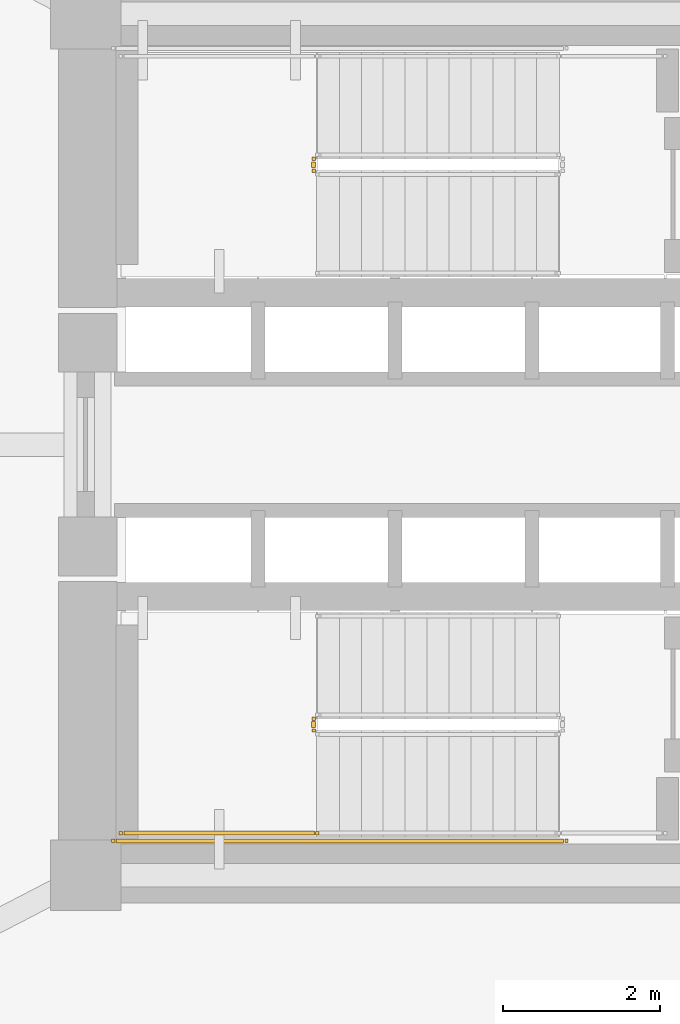
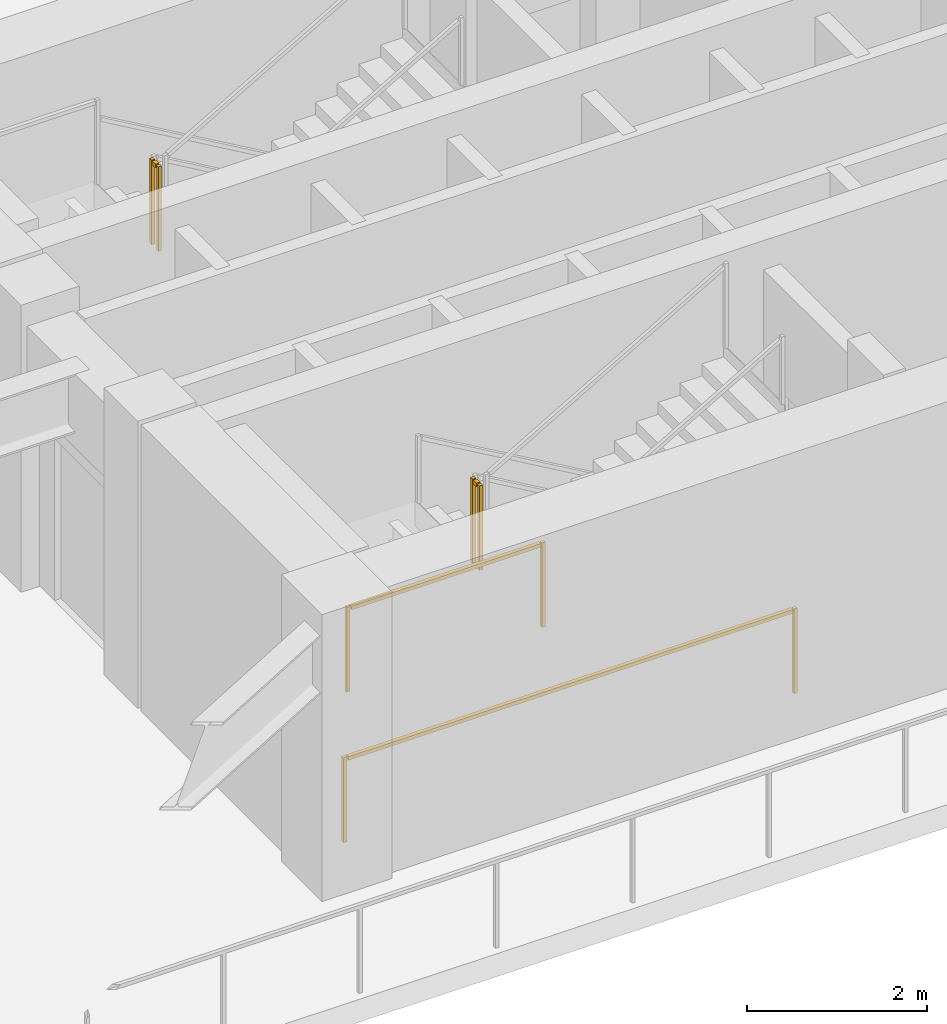
# One storey, part 8 of 15: 4 railings.
"""IFC4 building model written with IfcOpenShell, lengths in metres."""

from ifc_helpers import new_model, si_unit, direction, frame, origin, origin_2d, place, context, subcontext, project, spatial, rectangle, extrude, material, type_object, element, save


model = new_model("IFC4")

# Units and contexts
model_context = context("Model", 3, precision=1e-05, world=origin(), true_north=direction((0.0, 1.0)))
body_context = subcontext(model_context, "Body", "Model", "MODEL_VIEW")
ifc_project = project(units=[si_unit("LENGTHUNIT", "METRE"), si_unit("AREAUNIT", "SQUARE_METRE"), si_unit("VOLUMEUNIT", "CUBIC_METRE"), si_unit("PLANEANGLEUNIT", "RADIAN"), si_unit("MASSUNIT", "GRAM", prefix="KILO")], contexts=[model_context])

# Site, building, storey
site_placement = place(None, origin())
site = spatial("IfcSite", under=ifc_project, at=site_placement, CompositionType="ELEMENT")
building_placement = place(site_placement, origin())
building = spatial("IfcBuilding", under=site, at=building_placement, Name="Yunling Apex Tower", CompositionType="ELEMENT")
storey_placement = place(building_placement, frame((0.0, 0.0, 12.300048828125)))
storey = spatial("IfcBuildingStorey", under=building, at=storey_placement, Name="L04", CompositionType="ELEMENT", Elevation=12.300048828125)

# Railings
ifc_material = material(Name="Steel Q355B", Category="steel")
railing_type = type_object("IfcRailingType", Name="RL-GRD-1150", PredefinedType="GUARDRAIL", material=ifc_material)
for number, where, name in (
    (1, (-3.139892578125, 3.64990234375, 1.949951171875), "L04 ST-1 stair guard 2"),
    (2, (-3.139892578125, -3.5, 1.949951171875), "L04 ST-2 stair guard 2"),
):
    element("IfcRailing", number, at=place(storey_placement, frame(where)), inside=storey, type_object=railing_type, Name=name, PredefinedType="GUARDRAIL", context=body_context, shape_type="SweptSolid", body=[
        extrude(rectangle(XDim=0.0439453125, YDim=0.0439453125, at=origin_2d()), origin(), (0.0, 0.0, 1.0), 1.14990234375),
        extrude(rectangle(XDim=0.0439453125, YDim=0.0439453125, at=origin_2d()), frame((0.0, -0.14990234375, 0.0)), (0.0, 0.0, 1.0), 1.14990234375),
        extrude(rectangle(XDim=0.050048828125, YDim=0.050048828125, at=origin_2d()), frame((0.0, -0.038330078125, 1.125), z_axis=(0.0, -1.0, 0.0), x_axis=(1.0, 0.0, 0.0)), (0.0, 0.0, 1.0), 0.0732421875),
    ])
railing_1_placement = place(storey_placement, frame((-3.090087890625, -4.9599609375, 1.949951171875)))
element("IfcRailing", 3, at=railing_1_placement, inside=storey, type_object=railing_type, Name="L04 ST-2 stair guard 3", PredefinedType="GUARDRAIL", context=body_context, shape_type="SweptSolid", body=[
    extrude(rectangle(XDim=0.0439453125, YDim=0.0439453125, at=origin_2d()), origin(), (0.0, 0.0, 1.0), 1.14990234375),
    extrude(rectangle(XDim=0.0439453125, YDim=0.0439453125, at=origin_2d()), frame((-2.510009765625, 0.0, 0.0)), (0.0, 0.0, 1.0), 1.14990234375),
    extrude(rectangle(XDim=0.050048828125, YDim=0.050048828125, at=origin_2d()), frame((-0.038330078125, 0.0, 1.125), z_axis=(-1.0, 0.0, 0.0), x_axis=(0.0, -1.0, 0.0)), (0.0, 0.0, 1.0), 2.433349609375),
])
railing_2_placement = place(storey_placement, frame((0.090087890625, -5.06005859375, 0.0)))
element("IfcRailing", 4, at=railing_2_placement, inside=storey, type_object=railing_type, Name="L04 ST-2 stair guard 7", PredefinedType="GUARDRAIL", context=body_context, shape_type="SweptSolid", body=[
    extrude(rectangle(XDim=0.0439453125, YDim=0.0439453125, at=origin_2d()), origin(), (0.0, 0.0, 1.0), 1.14990234375),
    extrude(rectangle(XDim=0.0439453125, YDim=0.0439453125, at=origin_2d()), frame((-5.7900390625, 0.0, 0.0)), (0.0, 0.0, 1.0), 1.14990234375),
    extrude(rectangle(XDim=0.050048828125, YDim=0.050048828125, at=origin_2d()), frame((-0.038330078125, 0.0, 1.125), z_axis=(-1.0, 0.0, 0.0), x_axis=(0.0, -1.0, 0.0)), (0.0, 0.0, 1.0), 5.71337890625),
])

save(model, "model.ifc")
